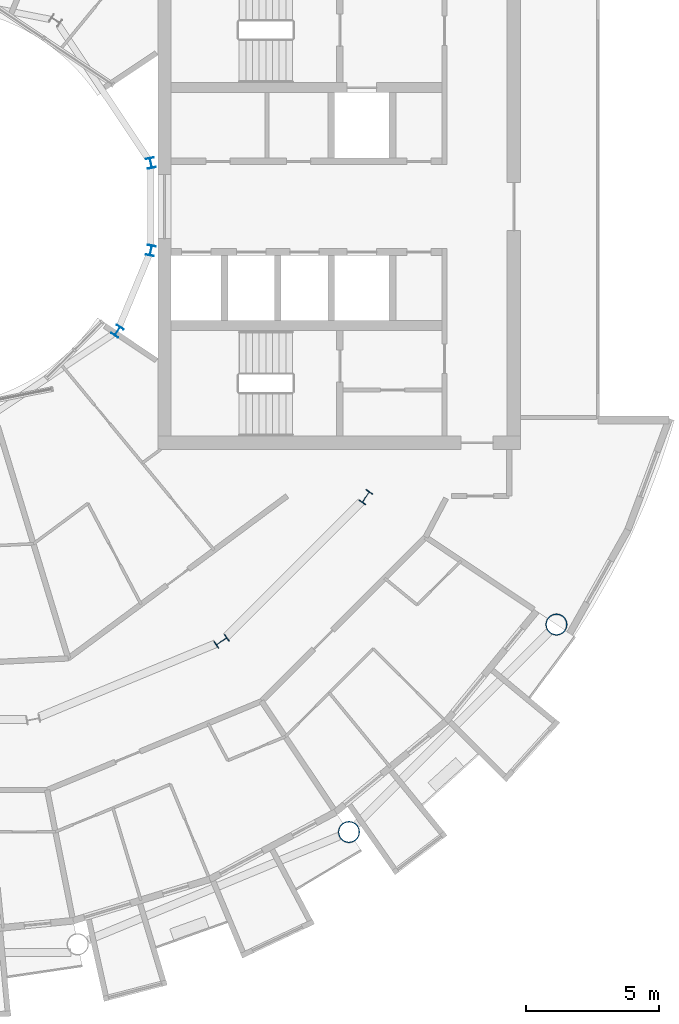
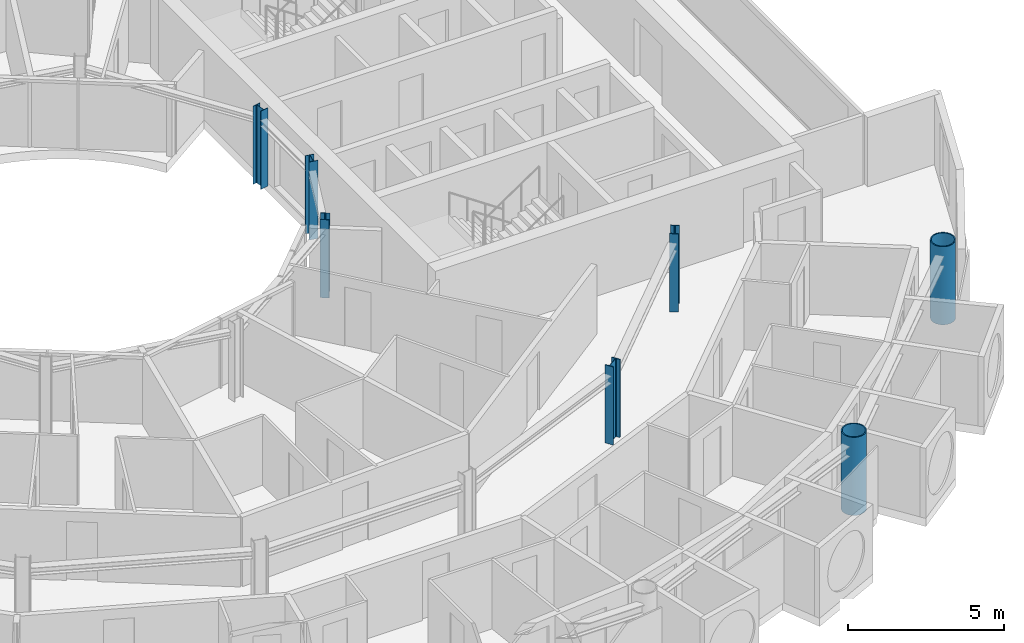
# One storey, part 2 of 27: 7 columns.
"""IFC4 building model written with IfcOpenShell, lengths in metres."""

from ifc_helpers import new_model, si_unit, direction, frame, origin, origin_2d, place, context, subcontext, project, spatial, hollow_circle, i_section, extrude, material, material_profile, profile_set, type_object, element, save


model = new_model("IFC4")

# Units and contexts
model_context = context("Model", 3, precision=1e-05, world=origin(), true_north=direction((0.0, 1.0)))
body_context = subcontext(model_context, "Body", "Model", "MODEL_VIEW")
ifc_project = project(units=[si_unit("LENGTHUNIT", "METRE"), si_unit("AREAUNIT", "SQUARE_METRE"), si_unit("VOLUMEUNIT", "CUBIC_METRE"), si_unit("PLANEANGLEUNIT", "RADIAN"), si_unit("MASSUNIT", "GRAM", prefix="KILO")], contexts=[model_context])

# Site, building, storey
site_placement = place(None, origin())
site = spatial("IfcSite", under=ifc_project, at=site_placement, CompositionType="ELEMENT")
building_placement = place(site_placement, origin())
building = spatial("IfcBuilding", under=site, at=building_placement, Name="Maasbend Ring Residences", CompositionType="ELEMENT")
storey_placement = place(building_placement, frame((0.0, 0.0, 167.699951171875)))
storey = spatial("IfcBuildingStorey", under=building, at=storey_placement, Name="L48", CompositionType="ELEMENT", Elevation=167.699951171875)

# Columns
ifc_material_1 = material(Name="Composite concrete-filled steel tube S460NH / C80/95", Category="concrete")
ifc_material_profile_1 = material_profile(ifc_material_1, hollow_circle(Radius=0.406494140625, WallThickness=0.0400390625, at=origin_2d()), Name="Composite tube column CHS 813x40")
ifc_profile_set_1 = profile_set([ifc_material_profile_1], Name="Composite concrete-filled steel tube S460NH / C80/95")
column_type_1 = type_object("IfcColumnType", Name="Composite tube column CHS 813x40", PredefinedType="COLUMN", material=ifc_profile_set_1)
for number, where, z_axis, x_axis, name in (
    (1, (15.6669921875, -23.447509765625, 0.0), (0.0, 0.0, 1.0), (1.0, 0.0, 0.0), "Outer column R14"),
    (2, (23.447509765625, -15.6669921875, 0.0), (0.0, 0.0, 1.0), (1.0, 0.0, 0.0), "Outer column R15"),
):
    element("IfcColumn", number, at=place(storey_placement, frame(where, z_axis=z_axis, x_axis=x_axis)), inside=storey, type_object=column_type_1, Name=name, PredefinedType="COLUMN", context=body_context, shape_type="SweptSolid", body=[
        extrude(hollow_circle(Radius=0.406494140625, WallThickness=0.0400390625, at=origin_2d()), origin(), (0.0, 0.0, 1.0), 3.050048828125),
    ])
ifc_material_2 = material(Name="Steel S355J2", Category="steel")
ifc_material_profile_2 = material_profile(ifc_material_2, i_section(OverallWidth=0.300048828125, OverallDepth=0.389892578125, WebThickness=0.010986328125, FlangeThickness=0.01904296875, FilletRadius=0.027099609375, at=origin_2d()), Name="HEA 400")
ifc_profile_set_2 = profile_set([ifc_material_profile_2], Name="Steel S355J2")
column_type_2 = type_object("IfcColumnType", Name="Steel column HEA 400", PredefinedType="COLUMN", material=ifc_profile_set_2)
for number, where, z_axis, x_axis, name in (
    (3, (8.238525390625, 1.638916015625, 0.0), (0.0, 0.0, 1.0), (0.980785280403, 0.195090322016, 0.0), "Well ring column R1"),
    (4, (6.984375, -4.666748046875, 0.0), (0.0, 0.0, 1.0), (0.831469612303, -0.55557023302, 0.0), "Well ring column R15"),
    (5, (8.238525390625, -1.638916015625, 0.0), (0.0, 0.0, 1.0), (0.980785280403, -0.195090322016, 0.0), "Well ring column R16"),
):
    element("IfcColumn", number, at=place(storey_placement, frame(where, z_axis=z_axis, x_axis=x_axis)), inside=storey, type_object=column_type_2, Name=name, PredefinedType="COLUMN", context=body_context, shape_type="SweptSolid", body=[
        extrude(i_section(OverallWidth=0.300048828125, OverallDepth=0.389892578125, WebThickness=0.010986328125, FlangeThickness=0.01904296875, FilletRadius=0.027099609375, at=origin_2d()), origin(), (0.0, 0.0, 1.0), 3.050048828125),
    ])
ifc_material_3 = material(Name="Steel S355J2", Category="steel")
ifc_material_profile_3 = material_profile(ifc_material_3, i_section(OverallWidth=0.300048828125, OverallDepth=0.5, WebThickness=0.014404296875, FlangeThickness=0.028076171875, FilletRadius=0.027099609375, at=origin_2d()), Name="HEB 500")
ifc_profile_set_3 = profile_set([ifc_material_profile_3], Name="Steel S355J2")
column_type_3 = type_object("IfcColumnType", Name="Steel column HEB 500", PredefinedType="COLUMN", material=ifc_profile_set_3)
for number, where, z_axis, x_axis, name in (
    (6, (10.88916015625, -16.296875, 0.0), (0.0, 0.0, 1.0), (0.55557023302, -0.831469612303, 0.0), "Corridor ring column R14"),
    (7, (16.296875, -10.88916015625, 0.0), (0.0, 0.0, 1.0), (0.831469612303, -0.55557023302, 0.0), "Corridor ring column R15"),
):
    element("IfcColumn", number, at=place(storey_placement, frame(where, z_axis=z_axis, x_axis=x_axis)), inside=storey, type_object=column_type_3, Name=name, PredefinedType="COLUMN", context=body_context, shape_type="SweptSolid", body=[
        extrude(i_section(OverallWidth=0.300048828125, OverallDepth=0.5, WebThickness=0.014404296875, FlangeThickness=0.028076171875, FilletRadius=0.027099609375, at=origin_2d()), origin(), (0.0, 0.0, 1.0), 3.050048828125),
    ])

save(model, "model.ifc")
